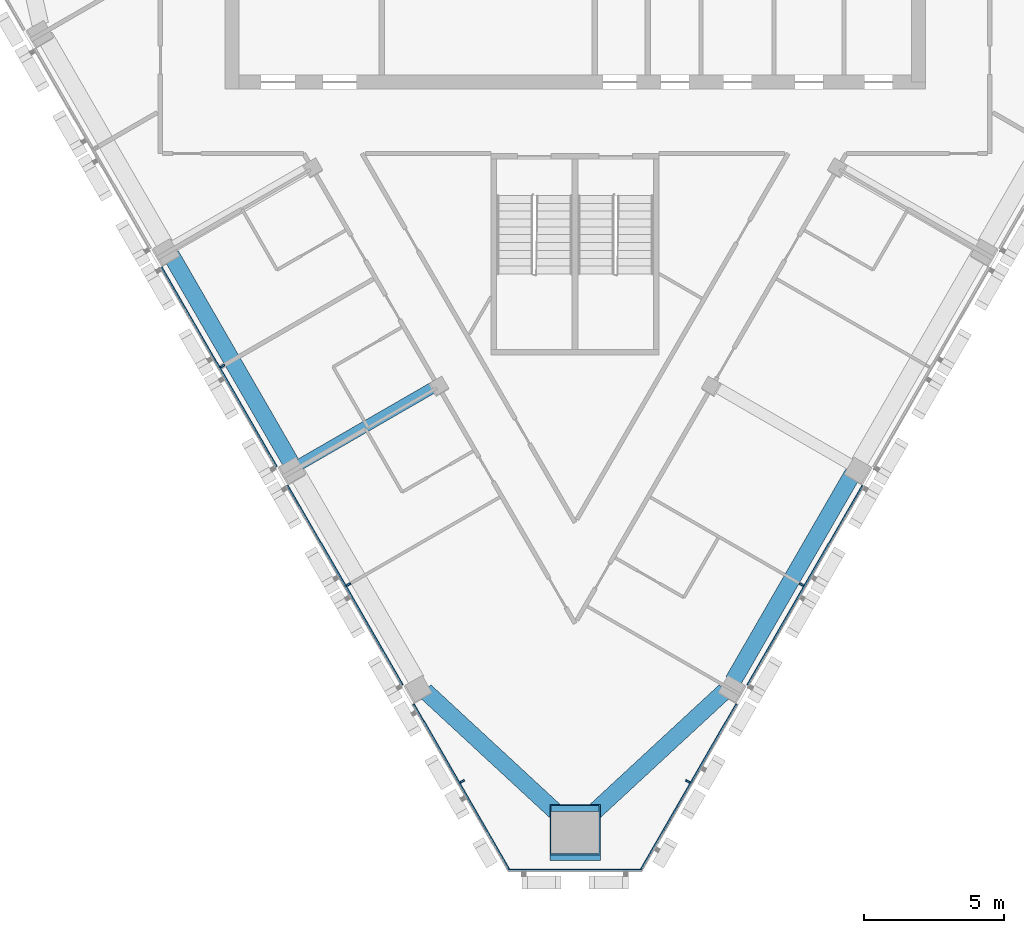
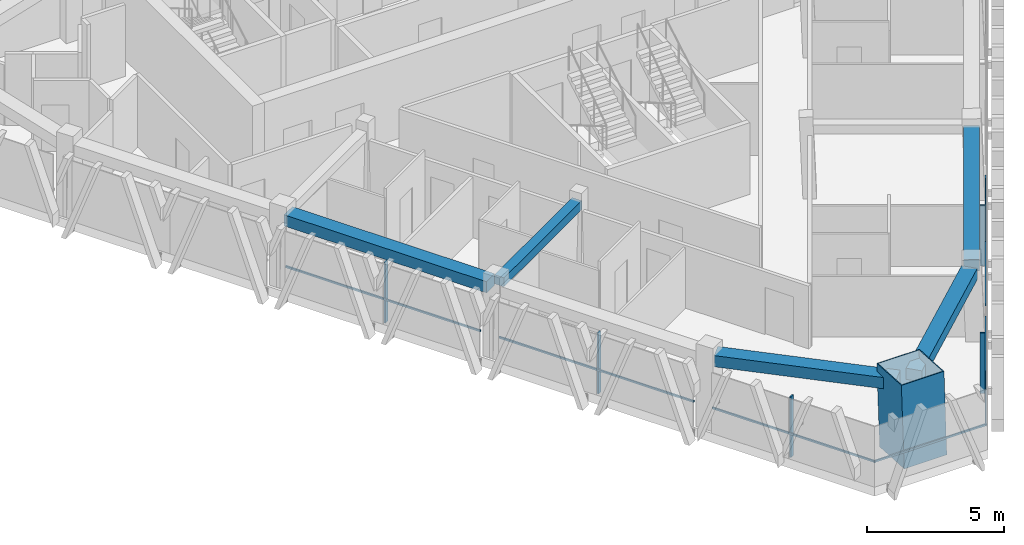
# One storey, part 2 of 14: 12 members, 5 beams, 3 elements without a shape of their own.
"""IFC4 building model written with IfcOpenShell, lengths in metres."""

import ifcopenshell
import ifcopenshell.guid

model = None  # the IFC model being written
_history = None  # IfcOwnerHistory: only IFC2X3 demands one
_inside = {}  # id of a spatial element -> (the spatial element, [elements in it])
_under = {}  # id of a project, library or spatial element -> (it, [spatial elements below it])
_declared = {}  # id of a project -> (the project, [libraries it declares])
_typed = {}  # id of a type object -> (the type object, [elements of that type])
_made_of = {}  # id of a material, layer set ... -> (it, [elements and type objects made of it])


def new_model(schema):
    """Start an empty IFC model of exactly this schema.

    Asked for "IFC4X3", IfcOpenShell would pick the latest addendum, in which some entities
    have other attributes; the version numbers below select the first issue.
    IFC2X3 requires an IfcOwnerHistory on every rooted entity: one is made here for all.
    """
    global model, _history
    if schema == "IFC4X3":
        model = ifcopenshell.file(schema_version=(4, 3, 0, 0))
    else:
        model = ifcopenshell.file(schema=schema)
    _inside.clear()
    _under.clear()
    _declared.clear()
    _typed.clear()
    _made_of.clear()
    _history = None
    if model.schema == "IFC2X3":
        org = make("IfcOrganization", Name="unknown")
        user = make(
            "IfcPersonAndOrganization",
            ThePerson=make("IfcPerson", FamilyName="unknown"),
            TheOrganization=org,
        )
        app = make(
            "IfcApplication",
            ApplicationDeveloper=org,
            Version="unknown",
            ApplicationFullName="unknown",
            ApplicationIdentifier="unknown",
        )
        _history = make(
            "IfcOwnerHistory",
            OwningUser=user,
            OwningApplication=app,
            ChangeAction="ADDED",
            CreationDate=0,
        )
    return model


def make(cls, **values):
    """One entity of the class cls with the attributes given. An attribute that is None is left unset."""
    return model.create_entity(
        cls, **{name: value for name, value in values.items() if value is not None}
    )


def rooted(cls, **values):
    """An entity with a GlobalId (a new one), such as an element, a storey or a relation."""
    return make(cls, GlobalId=ifcopenshell.guid.new(), OwnerHistory=_history, **values)


def si_unit(unit_type, name, prefix=None):
    """IfcSIUnit, for example si_unit("LENGTHUNIT", "METRE", prefix="MILLI")."""
    return make("IfcSIUnit", UnitType=unit_type, Prefix=prefix, Name=name)


def assignment(units):
    """IfcUnitAssignment: the units of a project."""
    return None if units is None else make("IfcUnitAssignment", Units=units)


def point(xyz):
    """IfcCartesianPoint."""
    return None if xyz is None else make("IfcCartesianPoint", Coordinates=xyz)


def direction(xyz):
    """IfcDirection."""
    return None if xyz is None else make("IfcDirection", DirectionRatios=xyz)


def frame(location, z_axis=None, x_axis=None):
    """IfcAxis2Placement3D, a coordinate frame: its origin and axes. An axis left out is left unset."""
    return make(
        "IfcAxis2Placement3D",
        Location=point(location),
        Axis=direction(z_axis),
        RefDirection=direction(x_axis),
    )


def frame_2d(location, x_axis=None):
    """IfcAxis2Placement2D, a coordinate frame in the plane: its origin and x axis."""
    return make(
        "IfcAxis2Placement2D", Location=point(location), RefDirection=direction(x_axis)
    )


def origin():
    """The frame at (0, 0, 0) with its axes left unset."""
    return frame((0.0, 0.0, 0.0))


def origin_2d():
    """The frame at (0, 0) in the plane with its x axis left unset."""
    return frame_2d((0.0, 0.0))


def place(relative_to, where):
    """IfcLocalPlacement: puts the frame where relative to a parent placement (None: the world)."""
    return make(
        "IfcLocalPlacement", PlacementRelTo=relative_to, RelativePlacement=where
    )


def context(
    kind, dimensions, precision=None, world=None, true_north=None, identifier=None
):
    """IfcGeometricRepresentationContext, for example the 3D "Model" context."""
    return make(
        "IfcGeometricRepresentationContext",
        ContextIdentifier=identifier,
        ContextType=kind,
        CoordinateSpaceDimension=dimensions,
        Precision=precision,
        WorldCoordinateSystem=world,
        TrueNorth=true_north,
    )


def subcontext(parent, identifier, kind, view, scale=None):
    """IfcGeometricRepresentationSubContext, for example "Body" below "Model"."""
    return make(
        "IfcGeometricRepresentationSubContext",
        ContextIdentifier=identifier,
        ContextType=kind,
        ParentContext=parent,
        TargetScale=scale,
        TargetView=view,
    )


def project(units=None, contexts=None):
    """IfcProject with its units and contexts."""
    return rooted(
        "IfcProject",
        Name="project",
        RepresentationContexts=contexts,
        UnitsInContext=assignment(units),
    )


def spatial(cls, under=None, at=None, **own):
    """A site, building, storey or space (cls), placed at a placement, below another one or the project."""
    s = rooted(cls, ObjectPlacement=at, **own)
    if under is not None:
        _under.setdefault(under.id(), (under, []))[1].append(s)
    return s


def profile(cls, at=None, kind="AREA", **sizes):
    """A parametric profile (cls). Its sizes go by their IFC names, for example OverallWidth=200.0."""
    return make(cls, ProfileType=kind, Position=at, **sizes)


def rectangle(**sizes):
    """IfcRectangleProfileDef."""
    return profile("IfcRectangleProfileDef", **sizes)


def hollow_rectangle(**sizes):
    """IfcRectangleHollowProfileDef."""
    return profile("IfcRectangleHollowProfileDef", **sizes)


def extrude(swept, where, along, depth):
    """IfcExtrudedAreaSolid: the profile swept, set in the frame where, extruded along a direction by depth."""
    return make(
        "IfcExtrudedAreaSolid",
        SweptArea=swept,
        Position=where,
        ExtrudedDirection=direction(along),
        Depth=depth,
    )


def shape(context_of_items, identifier, shape_type, items):
    """IfcShapeRepresentation: the items that make up one representation, for example the "Body"."""
    return make(
        "IfcShapeRepresentation",
        ContextOfItems=context_of_items,
        RepresentationIdentifier=identifier,
        RepresentationType=shape_type,
        Items=items,
    )


def material(Name=None, Category=None):
    """IfcMaterial."""
    return make("IfcMaterial", Name=Name, Category=Category)


def layer(
    of_material, thickness, ventilated=None, Name=None, Category=None, Priority=None
):
    """IfcMaterialLayer: one layer of a wall or slab, of a material (None: an air gap)."""
    return make(
        "IfcMaterialLayer",
        Material=of_material,
        LayerThickness=thickness,
        IsVentilated=ventilated,
        Name=Name,
        Category=Category,
        Priority=Priority,
    )


def layer_set(layers, Name=None):
    """IfcMaterialLayerSet."""
    return make("IfcMaterialLayerSet", MaterialLayers=layers, LayerSetName=Name)


def material_profile(
    of_material, cross_section, Name=None, Category=None, Priority=None
):
    """IfcMaterialProfile: a cross section and its material."""
    return make(
        "IfcMaterialProfile",
        Name=Name,
        Material=of_material,
        Profile=cross_section,
        Priority=Priority,
        Category=Category,
    )


def profile_set(profiles, Name=None, composite=None):
    """IfcMaterialProfileSet."""
    return make(
        "IfcMaterialProfileSet",
        Name=Name,
        MaterialProfiles=profiles,
        CompositeProfile=composite,
    )


def made_of(thing, what):
    """Note that an element or type object is made of a material, layer set ...; save() writes the relation."""
    if what is not None:
        _made_of.setdefault(what.id(), (what, []))[1].append(thing)
    return thing


def type_object(cls, material=None, **own):
    """A type object (cls), such as IfcWallType, which elements share."""
    return made_of(rooted(cls, **own), material)


def element(
    cls,
    number,
    at=None,
    inside=None,
    cuts=None,
    type_object=None,
    material=None,
    context=None,
    identifier="Body",
    shape_type=None,
    held_by="IfcProductDefinitionShape",
    body=None,
    shapes=None,
    **own,
):
    """One element of the class cls, such as IfcWall. Its Tag is "e" and its number.

    at: its placement. inside: the storey or other place that contains it. cuts: it is an
    opening in that element (IfcRelVoidsElement). A single representation is given by context,
    identifier, shape_type and body (its items); several are given by shapes. held_by: the class
    of the entity that holds the representations. save() writes the other relations.
    """
    e = rooted(cls, Tag="e%d" % number, ObjectPlacement=at, **own)
    if body is not None:
        shapes = [shape(context, identifier, shape_type, body)]
    if shapes is not None:
        e.Representation = make(held_by, Representations=shapes)
    if inside is not None:
        _inside.setdefault(inside.id(), (inside, []))[1].append(e)
    if cuts is not None:
        rooted(
            "IfcRelVoidsElement", RelatingBuildingElement=cuts, RelatedOpeningElement=e
        )
    if type_object is not None:
        _typed.setdefault(type_object.id(), (type_object, []))[1].append(e)
    return made_of(e, material)


def aggregate(whole, parts):
    """IfcRelAggregates: a whole, such as a stair, and the parts it consists of."""
    return rooted("IfcRelAggregates", RelatingObject=whole, RelatedObjects=parts)


def save(model, path):
    """Write the relations noted so far, then the file.

    IfcRelAggregates (storeys below a building ...), IfcRelContainedInSpatialStructure (elements
    in a storey), IfcRelDefinesByType, IfcRelAssociatesMaterial and IfcRelDeclares: one each for
    every whole, place, type object, material and project.
    """
    for whole, parts in _under.values():
        aggregate(whole, parts)
    for where, things in _inside.values():
        rooted(
            "IfcRelContainedInSpatialStructure",
            RelatedElements=things,
            RelatingStructure=where,
        )
    for kind, things in _typed.values():
        rooted("IfcRelDefinesByType", RelatedObjects=things, RelatingType=kind)
    for what, things in _made_of.values():
        rooted("IfcRelAssociatesMaterial", RelatedObjects=things, RelatingMaterial=what)
    for by, libraries in _declared.values():
        rooted("IfcRelDeclares", RelatingContext=by, RelatedDefinitions=libraries)
    model.write(path)


model = new_model("IFC4")

# Units and contexts
model_context = context("Model", 3, precision=1e-05, world=origin(), true_north=direction((0.0, 1.0)))
body_context = subcontext(model_context, "Body", "Model", "MODEL_VIEW")
ifc_project = project(units=[si_unit("LENGTHUNIT", "METRE"), si_unit("AREAUNIT", "SQUARE_METRE"), si_unit("VOLUMEUNIT", "CUBIC_METRE"), si_unit("PLANEANGLEUNIT", "RADIAN"), si_unit("MASSUNIT", "GRAM", prefix="KILO")], contexts=[model_context])

# Site, building, storey
site_placement = place(None, origin())
site = spatial("IfcSite", under=ifc_project, at=site_placement, CompositionType="ELEMENT")
building_placement = place(site_placement, origin())
building = spatial("IfcBuilding", under=site, at=building_placement, Name="Altiplano Prism Tower", CompositionType="ELEMENT")
storey_placement = place(building_placement, frame((0.0, 0.0, 271.60009765625)))
storey = spatial("IfcBuildingStorey", under=building, at=storey_placement, Name="L70", CompositionType="ELEMENT", Elevation=271.60009765625)

# Curtain wall, members
ifc_material_1 = material(Name="Aluminium and glass", Category="aluminium")
ifc_layer = layer(ifc_material_1, 0.280029296875)
ifc_layer_set = layer_set([ifc_layer], Name="Aluminium and glass")
curtain_wall_type = type_object("IfcCurtainWallType", Name="CW1 typical co-living unitised curtain wall", PredefinedType="NOTDEFINED", material=ifc_layer_set)
curtain_wall_1_placement = place(storey_placement, origin())
curtain_wall_1 = element("IfcCurtainWall", 1, at=curtain_wall_1_placement, inside=storey, type_object=curtain_wall_type, Name="CW1 curtain wall south-west face L70", PredefinedType="NOTDEFINED")
ifc_material_2 = material(Name="Aluminium", Category="aluminium")
ifc_material_profile_1 = material_profile(ifc_material_2, rectangle(XDim=0.179931640625, YDim=0.06494140625, at=origin_2d()), Name="CW1 mullion 65 x 180")
ifc_profile_set_1 = profile_set([ifc_material_profile_1], Name="Aluminium")
member_type_1 = type_object("IfcMemberType", Name="CW1 mullion 65 x 180", PredefinedType="MULLION", material=ifc_profile_set_1)
member_1_placement = place(storey_placement, frame((72.412841796875, 83.008544921875, 0.0), z_axis=(0.0, 0.0, 1.0), x_axis=(0.866025407039, 0.499999994362, 0.0)))
member_1 = element("IfcMember", 2, at=member_1_placement, type_object=member_type_1, Name="CW1 mullion", PredefinedType="MULLION", context=body_context, shape_type="SweptSolid", body=[
    extrude(rectangle(XDim=0.179931640625, YDim=0.06494140625, at=origin_2d()), origin(), (0.0, 0.0, 1.0), 2.699951171875),
])
member_2_placement = place(storey_placement, frame((76.912841796875, 75.214111328125, 0.0), z_axis=(0.0, 0.0, 1.0), x_axis=(0.866025407039, 0.499999994362, 0.0)))
member_2 = element("IfcMember", 3, at=member_2_placement, type_object=member_type_1, Name="CW1 mullion", PredefinedType="MULLION", context=body_context, shape_type="SweptSolid", body=[
    extrude(rectangle(XDim=0.179931640625, YDim=0.06494140625, at=origin_2d()), origin(), (0.0, 0.0, 1.0), 2.699951171875),
])
member_3_placement = place(storey_placement, frame((80.97119140625, 68.18505859375, 0.0), z_axis=(0.0, 0.0, 1.0), x_axis=(0.866025407039, 0.499999994362, 0.0)))
member_3 = element("IfcMember", 4, at=member_3_placement, type_object=member_type_1, Name="CW1 mullion", PredefinedType="MULLION", context=body_context, shape_type="SweptSolid", body=[
    extrude(rectangle(XDim=0.179931640625, YDim=0.06494140625, at=origin_2d()), origin(), (0.0, 0.0, 1.0), 2.699951171875),
])

curtain_wall_2_placement = place(storey_placement, origin())
curtain_wall_2 = element("IfcCurtainWall", 5, at=curtain_wall_2_placement, inside=storey, type_object=curtain_wall_type, Name="CW1 curtain wall south-east face L70", PredefinedType="NOTDEFINED")
member_4_placement = place(storey_placement, frame((89.02880859375, 68.18505859375, 0.0), z_axis=(0.0, 0.0, 1.0), x_axis=(-0.866025407039, 0.499999994362, 0.0)))
member_4 = element("IfcMember", 6, at=member_4_placement, type_object=member_type_1, Name="CW1 mullion", PredefinedType="MULLION", context=body_context, shape_type="SweptSolid", body=[
    extrude(rectangle(XDim=0.179931640625, YDim=0.06494140625, at=origin_2d()), origin(), (0.0, 0.0, 1.0), 2.699951171875),
])
member_5_placement = place(storey_placement, frame((93.087158203125, 75.214111328125, 0.0), z_axis=(0.0, 0.0, 1.0), x_axis=(-0.866025407039, 0.499999994362, 0.0)))
member_5 = element("IfcMember", 7, at=member_5_placement, type_object=member_type_1, Name="CW1 mullion", PredefinedType="MULLION", context=body_context, shape_type="SweptSolid", body=[
    extrude(rectangle(XDim=0.179931640625, YDim=0.06494140625, at=origin_2d()), origin(), (0.0, 0.0, 1.0), 2.699951171875),
])

# Member
ifc_material_profile_2 = material_profile(ifc_material_2, rectangle(XDim=0.06005859375, YDim=0.080078125, at=origin_2d()), Name="CW1 transom 80 x 60")
ifc_profile_set_2 = profile_set([ifc_material_profile_2], Name="Aluminium")
member_type_2 = type_object("IfcMemberType", Name="CW1 transom 80 x 60", PredefinedType="USERDEFINED", material=ifc_profile_set_2)
member_6_placement = place(storey_placement, frame((70.234130859375, 86.5419921875, 1.099853515625), z_axis=(0.500013829788, -0.866017419005, 0.0), x_axis=(0.866017419005, 0.500013829788, 0.0)))
member_6 = element("IfcMember", 8, at=member_6_placement, type_object=member_type_2, Name="CW1 transom", ObjectType="TRANSOM", PredefinedType="USERDEFINED", context=body_context, shape_type="SweptSolid", body=[
    extrude(rectangle(XDim=0.06005859375, YDim=0.080078125, at=origin_2d()), origin(), (0.0, 0.0, 1.0), 8.219970703125),
])

member_7_placement = place(storey_placement, frame((74.734130859375, 78.747802734375, 1.099853515625), z_axis=(0.500013829788, -0.866017419005, 0.0), x_axis=(0.866017419005, 0.500013829788, 0.0)))
member_7 = element("IfcMember", 9, at=member_7_placement, type_object=member_type_2, Name="CW1 transom", ObjectType="TRANSOM", PredefinedType="USERDEFINED", context=body_context, shape_type="SweptSolid", body=[
    extrude(rectangle(XDim=0.06005859375, YDim=0.080078125, at=origin_2d()), origin(), (0.0, 0.0, 1.0), 8.219970703125),
])

member_8_placement = place(storey_placement, frame((79.234130859375, 70.95361328125, 1.099853515625), z_axis=(0.500015178307, -0.866016640408, 0.0), x_axis=(0.866016640408, 0.500015178307, 0.0)))
member_8 = element("IfcMember", 10, at=member_8_placement, type_object=member_type_2, Name="CW1 transom", ObjectType="TRANSOM", PredefinedType="USERDEFINED", context=body_context, shape_type="SweptSolid", body=[
    extrude(rectangle(XDim=0.06005859375, YDim=0.080078125, at=origin_2d()), origin(), (0.0, 0.0, 1.0), 6.882568359375),
])

aggregate(curtain_wall_1, [member_1, member_6, member_2, member_7, member_3, member_8])

# Curtain wall, member
curtain_wall_3_placement = place(storey_placement, origin())
curtain_wall_3 = element("IfcCurtainWall", 11, at=curtain_wall_3_placement, inside=storey, type_object=curtain_wall_type, Name="CW1 curtain wall south chamfer L70", PredefinedType="NOTDEFINED")
member_9_placement = place(storey_placement, frame((82.61474609375, 65.028076171875, 1.099853515625), z_axis=(1.0, 0.0, 0.0), x_axis=(0.0, 1.0, 0.0)))
member_9 = element("IfcMember", 12, at=member_9_placement, type_object=member_type_2, Name="CW1 transom", ObjectType="TRANSOM", PredefinedType="USERDEFINED", context=body_context, shape_type="SweptSolid", body=[
    extrude(rectangle(XDim=0.06005859375, YDim=0.080078125, at=origin_2d()), origin(), (0.0, 0.0, 1.0), 4.7705078125),
])
aggregate(curtain_wall_3, [member_9])

# Member
member_10_placement = place(storey_placement, frame((87.324462890625, 64.9931640625, 1.099853515625), z_axis=(0.500015178307, 0.866016640408, 0.0), x_axis=(-0.866016640408, 0.500015178307, 0.0)))
member_10 = element("IfcMember", 13, at=member_10_placement, type_object=member_type_2, Name="CW1 transom", ObjectType="TRANSOM", PredefinedType="USERDEFINED", context=body_context, shape_type="SweptSolid", body=[
    extrude(rectangle(XDim=0.06005859375, YDim=0.080078125, at=origin_2d()), origin(), (0.0, 0.0, 1.0), 6.882568359375),
])

member_11_placement = place(storey_placement, frame((91.15576171875, 71.629150390625, 1.099853515625), z_axis=(0.500013829788, 0.866017419005, 0.0), x_axis=(-0.866017419005, 0.500013829788, 0.0)))
member_11 = element("IfcMember", 14, at=member_11_placement, type_object=member_type_2, Name="CW1 transom", ObjectType="TRANSOM", PredefinedType="USERDEFINED", context=body_context, shape_type="SweptSolid", body=[
    extrude(rectangle(XDim=0.06005859375, YDim=0.080078125, at=origin_2d()), origin(), (0.0, 0.0, 1.0), 8.219970703125),
])

aggregate(curtain_wall_2, [member_4, member_10, member_5, member_11])

# Beams
ifc_material_3 = material(Name="Concrete C60/75", Category="concrete")
ifc_material_profile_3 = material_profile(ifc_material_3, rectangle(XDim=0.60009765625, YDim=0.5, at=origin_2d()), Name="Edge beam 600x500")
ifc_profile_set_3 = profile_set([ifc_material_profile_3], Name="Concrete C60/75")
beam_type_1 = type_object("IfcBeamType", Name="Edge beam 600x500", PredefinedType="SPANDREL", material=ifc_profile_set_3)
beam_1_placement = place(storey_placement, frame((70.5830078125, 86.974853515625, 2.949951171875), z_axis=(0.500007039007, -0.866021339774, 0.0), x_axis=(0.866021339774, 0.500007039007, 0.0)))
element("IfcBeam", 15, at=beam_1_placement, inside=storey, type_object=beam_type_1, Name="Edge beam P12-P13 L71", PredefinedType="SPANDREL", context=body_context, shape_type="SweptSolid", body=[
    extrude(rectangle(XDim=0.60009765625, YDim=0.5, at=origin_2d()), origin(), (0.0, 0.0, 1.0), 8.5400390625),
])
for number, where, z_axis, x_axis, name in (
    (16, (79.64892578125, 71.418212890625, 2.949951171875), (0.734110561012, -0.679029958257, 0.0), (0.679029958257, 0.734110561012, 0.0), "Edge beam P14-M1 L71"),
    (17, (85.330322265625, 66.774169921875, 2.949951171875), (0.734110561012, 0.679029958257, 0.0), (-0.679029958257, 0.734110561012, 0.0), "Edge beam M1-P21 L71"),
):
    element("IfcBeam", number, at=place(storey_placement, frame(where, z_axis=z_axis, x_axis=x_axis)), inside=storey, type_object=beam_type_1, Name=name, PredefinedType="SPANDREL", context=body_context, shape_type="SweptSolid", body=[
        extrude(rectangle(XDim=0.60009765625, YDim=0.5, at=origin_2d()), origin(), (0.0, 0.0, 1.0), 6.839111328125),
    ])
beam_2_placement = place(storey_placement, frame((90.64697265625, 71.784912109375, 2.949951171875), z_axis=(0.500007039007, 0.866021339774, 0.0), x_axis=(-0.866021339774, 0.500007039007, 0.0)))
element("IfcBeam", 18, at=beam_2_placement, inside=storey, type_object=beam_type_1, Name="Edge beam P21-P22 L71", PredefinedType="SPANDREL", context=body_context, shape_type="SweptSolid", body=[
    extrude(rectangle(XDim=0.60009765625, YDim=0.5, at=origin_2d()), origin(), (0.0, 0.0, 1.0), 8.5400390625),
])

# Member
ifc_material_4 = material(Name="Steel S460", Category="steel")
ifc_material_profile_4 = material_profile(ifc_material_4, hollow_rectangle(XDim=1.800048828125, YDim=1.800048828125, WallThickness=0.0400390625, at=origin_2d()), Name="Mega column tube 1800")
ifc_profile_set_4 = profile_set([ifc_material_profile_4], Name="Steel S460")
member_type_3 = type_object("IfcMemberType", Name="Mega column tube 1800", PredefinedType="POST", material=ifc_profile_set_4)
member_12_placement = place(storey_placement, frame((85.0, 66.258056640625, 0.0), z_axis=(0.0, 0.058360852261, 0.998295552892), x_axis=(-1.0, 0.0, 0.0)))
element("IfcMember", 19, at=member_12_placement, inside=storey, type_object=member_type_3, Name="Mega column tube M1 L70", PredefinedType="POST", context=body_context, shape_type="SweptSolid", body=[
    extrude(hollow_rectangle(XDim=1.800048828125, YDim=1.800048828125, WallThickness=0.0400390625, at=origin_2d()), origin(), (0.0, 0.0, 1.0), 3.60595703125),
])

# Beam
ifc_material_profile_5 = material_profile(ifc_material_3, rectangle(XDim=0.39990234375, YDim=0.39990234375, at=origin_2d()), Name="Tie beam 400x400")
ifc_profile_set_5 = profile_set([ifc_material_profile_5], Name="Concrete C60/75")
beam_type_2 = type_object("IfcBeamType", Name="Tie beam 400x400", PredefinedType="BEAM", material=ifc_profile_set_5)
beam_3_placement = place(storey_placement, frame((80.094970703125, 82.33984375, 3.0), z_axis=(-0.866029822496, -0.499992346489, 0.0), x_axis=(0.499992346489, -0.866029822496, 0.0)))
element("IfcBeam", 20, at=beam_3_placement, inside=storey, type_object=beam_type_2, Name="Tie beam I13 L71", PredefinedType="BEAM", context=body_context, shape_type="SweptSolid", body=[
    extrude(rectangle(XDim=0.39990234375, YDim=0.39990234375, at=origin_2d()), origin(), (0.0, 0.0, 1.0), 5.68994140625),
])

save(model, "model.ifc")
